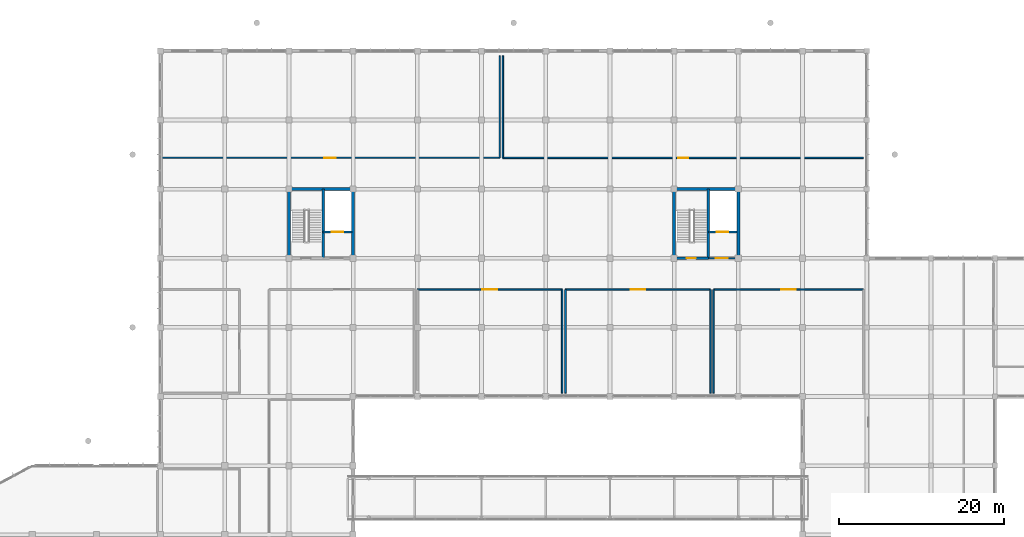
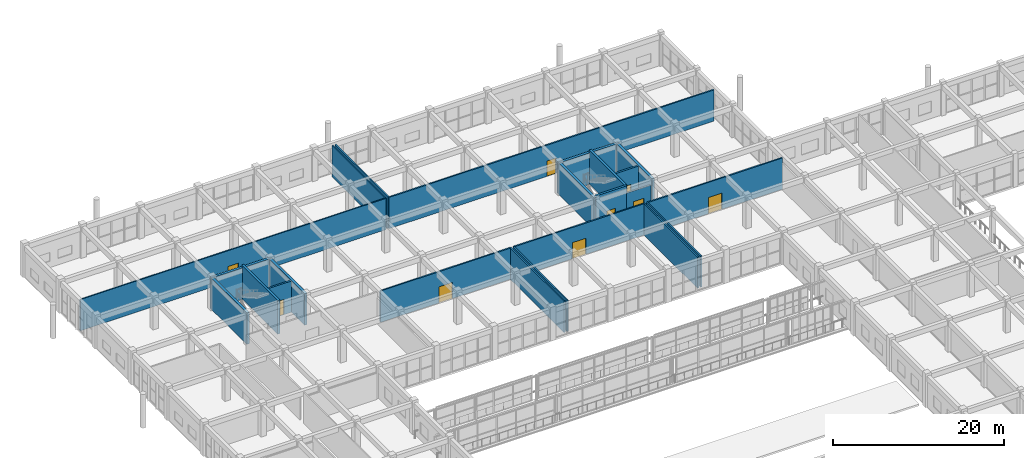
# One storey, part 155 of 167: 23 walls, 9 doors, 9 openings.
"""IFC4 building model written with IfcOpenShell, lengths in metres."""

from ifc_helpers import new_model, si_unit, direction, frame, frame_2d, origin, place, context, subcontext, project, spatial, rectangle, extrude, material, layer, layer_set, type_object, element, fill, save


model = new_model("IFC4")

# Units and contexts
model_context = context("Model", 3, precision=1e-05, world=origin(), true_north=direction((0.0, 1.0)))
body_context = subcontext(model_context, "Body", "Model", "MODEL_VIEW")
ifc_project = project(units=[si_unit("LENGTHUNIT", "METRE"), si_unit("AREAUNIT", "SQUARE_METRE"), si_unit("VOLUMEUNIT", "CUBIC_METRE"), si_unit("PLANEANGLEUNIT", "RADIAN"), si_unit("MASSUNIT", "GRAM", prefix="KILO")], contexts=[model_context])

# Site, building, storey
site_placement = place(None, origin())
site = spatial("IfcSite", under=ifc_project, at=site_placement, CompositionType="ELEMENT")
building_placement = place(site_placement, origin())
building = spatial("IfcBuilding", under=site, at=building_placement, Name="Zizhar Promenade General Hospital", CompositionType="ELEMENT")
storey_placement = place(building_placement, frame((0.0, 0.0, 9.60009765625)))
storey = spatial("IfcBuildingStorey", under=building, at=storey_placement, Name="L02", CompositionType="ELEMENT", Elevation=9.60009765625)

# Wall, opening, door
ifc_material_1 = material(Name="Concrete C35/45", Category="concrete")
ifc_layer_1 = layer(ifc_material_1, 0.215087890625)
ifc_layer_set_1 = layer_set([ifc_layer_1], Name="Concrete C35/45")
wall_type_1 = type_object("IfcWallType", Name="IW-LOBBY-215", PredefinedType="STANDARD", material=ifc_layer_set_1)
wall_1_placement = place(storey_placement, frame((113.35009765625, 109.199951171875, 0.0), z_axis=(0.0, 0.0, 1.0), x_axis=(1.0, 0.0, 0.0)))
wall_1 = element("IfcWall", 1, at=wall_1_placement, inside=storey, type_object=wall_type_1, Name="Core C7 Lift Lobby South Fire Wall (L02)", PredefinedType="STANDARD", context=body_context, shape_type="SweptSolid", body=[
    extrude(rectangle(XDim=3.289794921875, YDim=0.215087890625, at=frame_2d((1.64501953125, 0.0))), origin(), (0.0, 0.0, 1.0), 3.72998046875),
])
opening_1_placement = place(wall_1_placement, frame((0.925048828125, 0.0, 0.0)))
opening_1 = element("IfcOpeningElement", 2, at=opening_1_placement, cuts=wall_1, Name="Opening D-23", PredefinedType="OPENING", context=body_context, shape_type="SweptSolid", body=[
    extrude(rectangle(XDim=1.43994140625, YDim=2.199951171875, at=frame_2d((0.719970703125, 1.10009765625))), frame((0.0, 0.11767578125, 0.0), z_axis=(0.0, -1.0, 0.0), x_axis=(1.0, 0.0, 0.0)), (0.0, 0.0, 1.0), 0.235107421875),
])
ifc_material_2 = material(Name="Fire-rated timber lift lobby pair", Category="wood")
door_type_1 = type_object("IfcDoorType", Name="DR-LOBBY-PR-144x220", OperationType="DOUBLE_DOOR_SINGLE_SWING", PredefinedType="DOOR", material=ifc_material_2)
door_1_placement = place(opening_1_placement, origin())
door_1 = element("IfcDoor", 3, at=door_1_placement, inside=storey, type_object=door_type_1, Name="Core C7 Protected Lift Lobby Door (L02)", OperationType="DOUBLE_DOOR_SINGLE_SWING", OverallHeight=2.199951171875, OverallWidth=1.43994140625, PredefinedType="DOOR", context=body_context, shape_type="SweptSolid", body=[
    extrude(rectangle(XDim=1.43994140625, YDim=2.199951171875, at=frame_2d((0.719970703125, 1.10009765625))), frame((0.0, 0.02490234375, 0.0), z_axis=(0.0, -1.0, 0.0), x_axis=(1.0, 0.0, 0.0)), (0.0, 0.0, 1.0), 0.050048828125),
])
fill(opening_1, door_1)

ifc_material_3 = material(Name="Hygienic cleanroom aluminium-faced gypsum partition", Category="aluminium")
ifc_layer_2 = layer(ifc_material_3, 0.18994140625)
ifc_layer_set_2 = layer_set([ifc_layer_2], Name="Hygienic cleanroom aluminium-faced gypsum partition")
wall_type_2 = type_object("IfcWallType", Name="IW-OR-190", PredefinedType="PARTITIONING", material=ifc_layer_set_2)
wall_2_placement = place(storey_placement, frame((78.0, 105.39990234375, 0.0), z_axis=(0.0, 0.0, 1.0), x_axis=(1.0, 0.0, 0.0)))
wall_2 = element("IfcWall", 4, at=wall_2_placement, inside=storey, type_object=wall_type_2, Name="Operating Theatre 08 N Partition", PredefinedType="PARTITIONING", context=body_context, shape_type="SweptSolid", body=[
    extrude(rectangle(XDim=17.60009765625, YDim=0.18994140625, at=frame_2d((8.800048828125, 0.0))), origin(), (0.0, 0.0, 1.0), 4.4599609375),
])
opening_2_placement = place(wall_2_placement, frame((7.89990234375, 0.0, 0.0)))
opening_2 = element("IfcOpeningElement", 5, at=opening_2_placement, cuts=wall_2, Name="Opening D-03", PredefinedType="OPENING", context=body_context, shape_type="SweptSolid", body=[
    extrude(rectangle(XDim=1.800048828125, YDim=2.300048828125, at=frame_2d((0.89990234375, 1.14990234375))), frame((0.0, 0.10498046875, 0.0), z_axis=(0.0, -1.0, 0.0), x_axis=(1.0, 0.0, 0.0)), (0.0, 0.0, 1.0), 0.2099609375),
])
ifc_material_4 = material(Name="Anodised aluminium cleanroom hermetic leaf", Category="aluminium")
door_type_2 = type_object("IfcDoorType", Name="DR-OR-SLIDE-180x230", OperationType="SLIDING_TO_LEFT", PredefinedType="DOOR", material=ifc_material_4)
door_2_placement = place(opening_2_placement, origin())
door_2 = element("IfcDoor", 6, at=door_2_placement, inside=storey, type_object=door_type_2, Name="Operating Theatre 08 Door", OperationType="SLIDING_TO_LEFT", OverallHeight=2.300048828125, OverallWidth=1.800048828125, PredefinedType="DOOR", context=body_context, shape_type="SweptSolid", body=[
    extrude(rectangle(XDim=1.800048828125, YDim=2.300048828125, at=frame_2d((0.89990234375, 1.14990234375))), frame((0.0, 0.02490234375, 0.0), z_axis=(0.0, -1.0, 0.0), x_axis=(1.0, 0.0, 0.0)), (0.0, 0.0, 1.0), 0.050048828125),
])
fill(opening_2, door_2)

# Wall
wall_3_placement = place(storey_placement, frame((95.60009765625, 92.800048828125, 0.0), z_axis=(0.0, 0.0, 1.0), x_axis=(0.0, 1.0, 0.0)))
element("IfcWall", 7, at=wall_3_placement, inside=storey, type_object=wall_type_2, Name="Operating Theatre 08 E Partition", PredefinedType="PARTITIONING", context=body_context, shape_type="SweptSolid", body=[
    extrude(rectangle(XDim=12.599853515625, YDim=0.18994140625, at=frame_2d((6.2998046875, 0.0))), origin(), (0.0, 0.0, 1.0), 4.4599609375),
])

# Wall, opening, door
wall_4_placement = place(storey_placement, frame((96.0, 105.39990234375, 0.0), z_axis=(0.0, 0.0, 1.0), x_axis=(1.0, 0.0, 0.0)))
wall_4 = element("IfcWall", 8, at=wall_4_placement, inside=storey, type_object=wall_type_2, Name="Operating Theatre 09 N Partition", PredefinedType="PARTITIONING", context=body_context, shape_type="SweptSolid", body=[
    extrude(rectangle(XDim=17.60009765625, YDim=0.18994140625, at=frame_2d((8.800048828125, 0.0))), origin(), (0.0, 0.0, 1.0), 4.4599609375),
])
opening_3_placement = place(wall_4_placement, frame((7.89990234375, 0.0, 0.0)))
opening_3 = element("IfcOpeningElement", 9, at=opening_3_placement, cuts=wall_4, Name="Opening D-03", PredefinedType="OPENING", context=body_context, shape_type="SweptSolid", body=[
    extrude(rectangle(XDim=1.800048828125, YDim=2.300048828125, at=frame_2d((0.89990234375, 1.14990234375))), frame((0.0, 0.10498046875, 0.0), z_axis=(0.0, -1.0, 0.0), x_axis=(1.0, 0.0, 0.0)), (0.0, 0.0, 1.0), 0.2099609375),
])
door_3_placement = place(opening_3_placement, origin())
door_3 = element("IfcDoor", 10, at=door_3_placement, inside=storey, type_object=door_type_2, Name="Operating Theatre 09 Door", OperationType="SLIDING_TO_LEFT", OverallHeight=2.300048828125, OverallWidth=1.800048828125, PredefinedType="DOOR", context=body_context, shape_type="SweptSolid", body=[
    extrude(rectangle(XDim=1.800048828125, YDim=2.300048828125, at=frame_2d((0.89990234375, 1.14990234375))), frame((0.0, 0.02490234375, 0.0), z_axis=(0.0, -1.0, 0.0), x_axis=(1.0, 0.0, 0.0)), (0.0, 0.0, 1.0), 0.050048828125),
])
fill(opening_3, door_3)

# Walls
for number, where, z_axis, x_axis, name in (
    (11, (96.0, 92.800048828125, 0.0), (0.0, 0.0, 1.0), (0.0, 1.0, 0.0), "Operating Theatre 09 W Partition"),
    (12, (113.60009765625, 92.800048828125, 0.0), (0.0, 0.0, 1.0), (0.0, 1.0, 0.0), "Operating Theatre 09 E Partition"),
):
    element("IfcWall", number, at=place(storey_placement, frame(where, z_axis=z_axis, x_axis=x_axis)), inside=storey, type_object=wall_type_2, Name=name, PredefinedType="PARTITIONING", context=body_context, shape_type="SweptSolid", body=[
        extrude(rectangle(XDim=12.599853515625, YDim=0.18994140625, at=frame_2d((6.2998046875, 0.0))), origin(), (0.0, 0.0, 1.0), 4.4599609375),
    ])

# Wall, opening, door
wall_5_placement = place(storey_placement, frame((114.0, 105.39990234375, 0.0), z_axis=(0.0, 0.0, 1.0), x_axis=(1.0, 0.0, 0.0)))
wall_5 = element("IfcWall", 13, at=wall_5_placement, inside=storey, type_object=wall_type_2, Name="Operating Theatre 10 N Partition", PredefinedType="PARTITIONING", context=body_context, shape_type="SweptSolid", body=[
    extrude(rectangle(XDim=18.199951171875, YDim=0.18994140625, at=frame_2d((9.10009765625, 0.0))), origin(), (0.0, 0.0, 1.0), 4.4599609375),
])
opening_4_placement = place(wall_5_placement, frame((8.199951171875, 0.0, 0.0)))
opening_4 = element("IfcOpeningElement", 14, at=opening_4_placement, cuts=wall_5, Name="Opening D-03", PredefinedType="OPENING", context=body_context, shape_type="SweptSolid", body=[
    extrude(rectangle(XDim=1.800048828125, YDim=2.300048828125, at=frame_2d((0.89990234375, 1.14990234375))), frame((0.0, 0.10498046875, 0.0), z_axis=(0.0, -1.0, 0.0), x_axis=(1.0, 0.0, 0.0)), (0.0, 0.0, 1.0), 0.2099609375),
])
door_4_placement = place(opening_4_placement, origin())
door_4 = element("IfcDoor", 15, at=door_4_placement, inside=storey, type_object=door_type_2, Name="Operating Theatre 10 Door", OperationType="SLIDING_TO_LEFT", OverallHeight=2.300048828125, OverallWidth=1.800048828125, PredefinedType="DOOR", context=body_context, shape_type="SweptSolid", body=[
    extrude(rectangle(XDim=1.800048828125, YDim=2.300048828125, at=frame_2d((0.89990234375, 1.14990234375))), frame((0.0, 0.02490234375, 0.0), z_axis=(0.0, -1.0, 0.0), x_axis=(1.0, 0.0, 0.0)), (0.0, 0.0, 1.0), 0.050048828125),
])
fill(opening_4, door_4)

# Wall
wall_6_placement = place(storey_placement, frame((114.0, 92.800048828125, 0.0), z_axis=(0.0, 0.0, 1.0), x_axis=(0.0, 1.0, 0.0)))
element("IfcWall", 16, at=wall_6_placement, inside=storey, type_object=wall_type_2, Name="Operating Theatre 10 W Partition", PredefinedType="PARTITIONING", context=body_context, shape_type="SweptSolid", body=[
    extrude(rectangle(XDim=12.599853515625, YDim=0.18994140625, at=frame_2d((6.2998046875, 0.0))), origin(), (0.0, 0.0, 1.0), 4.4599609375),
])

# Wall, opening, door
wall_7_placement = place(storey_placement, frame((88.39990234375, 121.39990234375, 0.0), z_axis=(0.0, 0.0, 1.0), x_axis=(1.0, 0.0, 0.0)))
wall_7 = element("IfcWall", 17, at=wall_7_placement, inside=storey, type_object=wall_type_2, Name="Surgical Scrub, Anaesthesia Prep and Clean Core L02 S Partition", PredefinedType="PARTITIONING", context=body_context, shape_type="SweptSolid", body=[
    extrude(rectangle(XDim=43.800048828125, YDim=0.18994140625, at=frame_2d((21.89990234375, 0.0))), origin(), (0.0, 0.0, 1.0), 4.4599609375),
])
opening_5_placement = place(wall_7_placement, frame((21.300048828125, 0.0, 0.0)))
opening_5 = element("IfcOpeningElement", 18, at=opening_5_placement, cuts=wall_7, Name="Opening D-04", PredefinedType="OPENING", context=body_context, shape_type="SweptSolid", body=[
    extrude(rectangle(XDim=1.199951171875, YDim=2.199951171875, at=frame_2d((0.60009765625, 1.10009765625))), frame((0.0, 0.10498046875, 0.0), z_axis=(0.0, -1.0, 0.0), x_axis=(1.0, 0.0, 0.0)), (0.0, 0.0, 1.0), 0.2099609375),
])
ifc_material_5 = material(Name="Anodised aluminium cleanroom leaf", Category="aluminium")
door_type_3 = type_object("IfcDoorType", Name="DR-OR-SCRUB-120x220", OperationType="SINGLE_SWING_LEFT", PredefinedType="DOOR", material=ifc_material_5)
door_5_placement = place(opening_5_placement, origin())
door_5 = element("IfcDoor", 19, at=door_5_placement, inside=storey, type_object=door_type_3, Name="Surgical Scrub, Anaesthesia Prep and Clean Core L02 Door", OperationType="SINGLE_SWING_LEFT", OverallHeight=2.199951171875, OverallWidth=1.199951171875, PredefinedType="DOOR", context=body_context, shape_type="SweptSolid", body=[
    extrude(rectangle(XDim=1.199951171875, YDim=2.199951171875, at=frame_2d((0.60009765625, 1.10009765625))), frame((0.0, 0.02490234375, 0.0), z_axis=(0.0, -1.0, 0.0), x_axis=(1.0, 0.0, 0.0)), (0.0, 0.0, 1.0), 0.050048828125),
])
fill(opening_5, door_5)

# Wall
wall_8_placement = place(storey_placement, frame((88.39990234375, 121.39990234375, 0.0), z_axis=(0.0, 0.0, 1.0), x_axis=(0.0, 1.0, 0.0)))
element("IfcWall", 20, at=wall_8_placement, inside=storey, type_object=wall_type_2, Name="Surgical Scrub, Anaesthesia Prep and Clean Core L02 W Partition", PredefinedType="PARTITIONING", context=body_context, shape_type="SweptSolid", body=[
    extrude(rectangle(XDim=12.400146484375, YDim=0.18994140625, at=frame_2d((6.2001953125, 0.0))), origin(), (0.0, 0.0, 1.0), 4.4599609375),
])

# Wall, opening, door
ifc_material_6 = material(Name="Concrete C35/45", Category="concrete")
ifc_layer_3 = layer(ifc_material_6, 0.25)
ifc_layer_set_3 = layer_set([ifc_layer_3], Name="Concrete C35/45")
wall_type_3 = type_object("IfcWallType", Name="IW-SHAFT-250", PredefinedType="STANDARD", material=ifc_layer_set_3)
wall_9_placement = place(storey_placement, frame((66.550048828125, 112.39990234375, 0.0), z_axis=(0.0, 0.0, 1.0), x_axis=(1.0, 0.0, 0.0)))
wall_9 = element("IfcWall", 21, at=wall_9_placement, inside=storey, type_object=wall_type_3, Name="Core C6 Lift Shaft Landing Wall (L02)", PredefinedType="STANDARD", context=body_context, shape_type="SweptSolid", body=[
    extrude(rectangle(XDim=3.5, YDim=0.25, at=frame_2d((1.75, 0.0))), origin(), (0.0, 0.0, 1.0), 4.4599609375),
])
opening_6_placement = place(wall_9_placement, frame((1.050048828125, 0.0, 0.0)))
opening_6 = element("IfcOpeningElement", 22, at=opening_6_placement, cuts=wall_9, Name="Opening LD-14", PredefinedType="OPENING", context=body_context, shape_type="SweptSolid", body=[
    extrude(rectangle(XDim=1.39990234375, YDim=2.199951171875, at=frame_2d((0.699951171875, 1.10009765625))), frame((0.0, 0.135009765625, 0.0), z_axis=(0.0, -1.0, 0.0), x_axis=(1.0, 0.0, 0.0)), (0.0, 0.0, 1.0), 0.27001953125),
])
ifc_material_7 = material(Name="Stainless Steel S355 hospital lift landing door", Category="steel")
door_type_4 = type_object("IfcDoorType", Name="DR-LIFT-LD14", OperationType="SLIDING_TO_LEFT", PredefinedType="DOOR", material=ifc_material_7)
door_6_placement = place(opening_6_placement, origin())
door_6 = element("IfcDoor", 23, at=door_6_placement, inside=storey, type_object=door_type_4, Name="Lift LG-01 Sliding Landing Door (L02)", OperationType="SLIDING_TO_LEFT", OverallHeight=2.199951171875, OverallWidth=1.39990234375, PredefinedType="DOOR", context=body_context, shape_type="SweptSolid", body=[
    extrude(rectangle(XDim=1.39990234375, YDim=2.199951171875, at=frame_2d((0.699951171875, 1.10009765625))), frame((0.0, 0.02490234375, 0.0), z_axis=(0.0, -1.0, 0.0), x_axis=(1.0, 0.0, 0.0)), (0.0, 0.0, 1.0), 0.050048828125),
])
fill(opening_6, door_6)

wall_10_placement = place(storey_placement, frame((113.35009765625, 112.39990234375, 0.0), z_axis=(0.0, 0.0, 1.0), x_axis=(1.0, 0.0, 0.0)))
wall_10 = element("IfcWall", 24, at=wall_10_placement, inside=storey, type_object=wall_type_3, Name="Core C7 Lift Shaft Landing Wall (L02)", PredefinedType="STANDARD", context=body_context, shape_type="SweptSolid", body=[
    extrude(rectangle(XDim=3.5, YDim=0.25, at=frame_2d((1.75, 0.0))), origin(), (0.0, 0.0, 1.0), 4.4599609375),
])
opening_7_placement = place(wall_10_placement, frame((1.050048828125, 0.0, 0.0)))
opening_7 = element("IfcOpeningElement", 25, at=opening_7_placement, cuts=wall_10, Name="Opening LD-14", PredefinedType="OPENING", context=body_context, shape_type="SweptSolid", body=[
    extrude(rectangle(XDim=1.39990234375, YDim=2.199951171875, at=frame_2d((0.699951171875, 1.10009765625))), frame((0.0, 0.135009765625, 0.0), z_axis=(0.0, -1.0, 0.0), x_axis=(1.0, 0.0, 0.0)), (0.0, 0.0, 1.0), 0.27001953125),
])
door_7_placement = place(opening_7_placement, origin())
door_7 = element("IfcDoor", 26, at=door_7_placement, inside=storey, type_object=door_type_4, Name="Lift LG-02 Sliding Landing Door (L02)", OperationType="SLIDING_TO_LEFT", OverallHeight=2.199951171875, OverallWidth=1.39990234375, PredefinedType="DOOR", context=body_context, shape_type="SweptSolid", body=[
    extrude(rectangle(XDim=1.39990234375, YDim=2.199951171875, at=frame_2d((0.699951171875, 1.10009765625))), frame((0.0, 0.02490234375, 0.0), z_axis=(0.0, -1.0, 0.0), x_axis=(1.0, 0.0, 0.0)), (0.0, 0.0, 1.0), 0.050048828125),
])
fill(opening_7, door_7)

ifc_material_8 = material(Name="Acoustic patient bedroom partition")
ifc_layer_4 = layer(ifc_material_8, 0.155029296875)
ifc_layer_set_4 = layer_set([ifc_layer_4], Name="Acoustic patient bedroom partition")
wall_type_4 = type_object("IfcWallType", Name="IW-WARD-155", PredefinedType="PARTITIONING", material=ifc_layer_set_4)
wall_11_placement = place(storey_placement, frame((46.800048828125, 121.39990234375, 0.0), z_axis=(0.0, 0.0, 1.0), x_axis=(1.0, 0.0, 0.0)))
wall_11 = element("IfcWall", 27, at=wall_11_placement, inside=storey, type_object=wall_type_4, Name="Post-Anaesthesia Surgical Recovery Ward L02 S Partition", PredefinedType="PARTITIONING", context=body_context, shape_type="SweptSolid", body=[
    extrude(rectangle(XDim=41.199951171875, YDim=0.155029296875, at=frame_2d((20.60009765625, 0.0))), origin(), (0.0, 0.0, 1.0), 4.4599609375),
])
opening_8_placement = place(wall_11_placement, frame((19.89990234375, 0.0, 0.0)))
opening_8 = element("IfcOpeningElement", 28, at=opening_8_placement, cuts=wall_11, Name="Opening D-06", PredefinedType="OPENING", context=body_context, shape_type="SweptSolid", body=[
    extrude(rectangle(XDim=1.39990234375, YDim=2.199951171875, at=frame_2d((0.699951171875, 1.10009765625))), frame((0.0, 0.08740234375, 0.0), z_axis=(0.0, -1.0, 0.0), x_axis=(1.0, 0.0, 0.0)), (0.0, 0.0, 1.0), 0.175048828125),
])
ifc_material_9 = material(Name="Fire-rated timber hospital bed leaf", Category="wood")
door_type_5 = type_object("IfcDoorType", Name="DR-BED-WARD-140x220", OperationType="NOTDEFINED", PredefinedType="DOOR", material=ifc_material_9)
door_8_placement = place(opening_8_placement, origin())
door_8 = element("IfcDoor", 29, at=door_8_placement, inside=storey, type_object=door_type_5, Name="Post-Anaesthesia Surgical Recovery Ward L02 Door", OperationType="SINGLE_SWING_RIGHT", OverallHeight=2.199951171875, OverallWidth=1.39990234375, PredefinedType="DOOR", context=body_context, shape_type="SweptSolid", body=[
    extrude(rectangle(XDim=1.39990234375, YDim=2.199951171875, at=frame_2d((0.699951171875, 1.10009765625))), frame((0.0, 0.02490234375, 0.0), z_axis=(0.0, -1.0, 0.0), x_axis=(1.0, 0.0, 0.0)), (0.0, 0.0, 1.0), 0.050048828125),
])
fill(opening_8, door_8)

# Walls
wall_12_placement = place(storey_placement, frame((88.0, 121.39990234375, 0.0), z_axis=(0.0, 0.0, 1.0), x_axis=(0.0, 1.0, 0.0)))
element("IfcWall", 30, at=wall_12_placement, inside=storey, type_object=wall_type_4, Name="Post-Anaesthesia Surgical Recovery Ward L02 E Partition", PredefinedType="PARTITIONING", context=body_context, shape_type="SweptSolid", body=[
    extrude(rectangle(XDim=12.400146484375, YDim=0.155029296875, at=frame_2d((6.2001953125, 0.0))), origin(), (0.0, 0.0, 1.0), 4.4599609375),
])
ifc_material_10 = material(Name="Concrete C40/50", Category="concrete")
ifc_layer_5 = layer(ifc_material_10, 0.300048828125)
ifc_layer_set_5 = layer_set([ifc_layer_5], Name="Concrete C40/50")
wall_type_5 = type_object("IfcWallType", Name="WL-CORE-300", PredefinedType="SHEAR", material=ifc_layer_set_5)
wall_13_placement = place(storey_placement, frame((66.550048828125, 109.199951171875, 0.0), z_axis=(0.0, 0.0, 1.0), x_axis=(0.0, 1.0, 0.0)))
element("IfcWall", 31, at=wall_13_placement, inside=storey, type_object=wall_type_5, Name="Core C6 Stair-Shaft Separation Wall (L02)", PredefinedType="SHEAR", context=body_context, shape_type="SweptSolid", body=[
    extrude(rectangle(XDim=8.400146484375, YDim=0.300048828125, at=frame_2d((4.2001953125, 0.0))), origin(), (0.0, 0.0, 1.0), 4.7998046875),
])

# Wall, opening, door
wall_14_placement = place(storey_placement, frame((109.199951171875, 109.199951171875, 0.0), z_axis=(0.0, 0.0, 1.0), x_axis=(1.0, 0.0, 0.0)))
wall_14 = element("IfcWall", 32, at=wall_14_placement, inside=storey, type_object=wall_type_5, Name="Core C7 Stair South Fire Wall (L02)", PredefinedType="SHEAR", context=body_context, shape_type="SweptSolid", body=[
    extrude(rectangle(XDim=4.150146484375, YDim=0.300048828125, at=frame_2d((2.0751953125, 0.0))), origin(), (0.0, 0.0, 1.0), 4.7998046875),
])
opening_9_placement = place(wall_14_placement, frame((1.514892578125, 0.0, 0.0)))
opening_9 = element("IfcOpeningElement", 33, at=opening_9_placement, cuts=wall_14, Name="Opening D-21", PredefinedType="OPENING", context=body_context, shape_type="SweptSolid", body=[
    extrude(rectangle(XDim=1.1201171875, YDim=2.14990234375, at=frame_2d((0.56005859375, 1.074951171875))), frame((0.0, 0.16015625, 0.0), z_axis=(0.0, -1.0, 0.0), x_axis=(1.0, 0.0, 0.0)), (0.0, 0.0, 1.0), 0.320068359375),
])
ifc_material_11 = material(Name="Steel S355 protected stair door", Category="steel")
door_type_6 = type_object("IfcDoorType", Name="DR-STAIR-112x215", OperationType="NOTDEFINED", PredefinedType="DOOR", material=ifc_material_11)
door_9_placement = place(opening_9_placement, origin())
door_9 = element("IfcDoor", 34, at=door_9_placement, inside=storey, type_object=door_type_6, Name="Exit Stair ST-07 Door (L02)", OperationType="SINGLE_SWING_RIGHT", OverallHeight=2.14990234375, OverallWidth=1.1201171875, PredefinedType="DOOR", context=body_context, shape_type="SweptSolid", body=[
    extrude(rectangle(XDim=1.1201171875, YDim=2.14990234375, at=frame_2d((0.56005859375, 1.074951171875))), frame((0.0, 0.02490234375, 0.0), z_axis=(0.0, -1.0, 0.0), x_axis=(1.0, 0.0, 0.0)), (0.0, 0.0, 1.0), 0.050048828125),
])
fill(opening_9, door_9)

# Walls
wall_15_placement = place(storey_placement, frame((113.35009765625, 109.199951171875, 0.0), z_axis=(0.0, 0.0, 1.0), x_axis=(0.0, 1.0, 0.0)))
element("IfcWall", 35, at=wall_15_placement, inside=storey, type_object=wall_type_5, Name="Core C7 Stair-Shaft Separation Wall (L02)", PredefinedType="SHEAR", context=body_context, shape_type="SweptSolid", body=[
    extrude(rectangle(XDim=8.400146484375, YDim=0.300048828125, at=frame_2d((4.2001953125, 0.0))), origin(), (0.0, 0.0, 1.0), 4.7998046875),
])
ifc_material_12 = material(Name="Concrete C40/50", Category="concrete")
ifc_layer_6 = layer(ifc_material_12, 0.35009765625)
ifc_layer_set_6 = layer_set([ifc_layer_6], Name="Concrete C40/50")
wall_type_6 = type_object("IfcWallType", Name="WL-CORE-350", PredefinedType="SHEAR", material=ifc_layer_set_6)
wall_16_placement = place(storey_placement, frame((62.22509765625, 117.60009765625, 0.0), z_axis=(0.0, 0.0, 1.0), x_axis=(1.0, 0.0, 0.0)))
element("IfcWall", 36, at=wall_16_placement, inside=storey, type_object=wall_type_6, Name="Core C6 North Shear Wall L02", PredefinedType="SHEAR", context=body_context, shape_type="SweptSolid", body=[
    extrude(rectangle(XDim=8.14990234375, YDim=0.35009765625, at=frame_2d((4.074951171875, 0.0))), origin(), (0.0, 0.0, 1.0), 4.47998046875),
])
for number, where, z_axis, x_axis, name in (
    (37, (62.39990234375, 109.199951171875, 0.0), (0.0, 0.0, 1.0), (0.0, 1.0, 0.0), "Core C6 West Shear Wall L02"),
    (38, (70.199951171875, 109.199951171875, 0.0), (0.0, 0.0, 1.0), (0.0, 1.0, 0.0), "Core C6 East Shear Wall L02"),
):
    element("IfcWall", number, at=place(storey_placement, frame(where, z_axis=z_axis, x_axis=x_axis)), inside=storey, type_object=wall_type_6, Name=name, PredefinedType="SHEAR", context=body_context, shape_type="SweptSolid", body=[
        extrude(rectangle(XDim=8.400146484375, YDim=0.35009765625, at=frame_2d((4.2001953125, 0.0))), origin(), (0.0, 0.0, 1.0), 4.47998046875),
    ])
wall_17_placement = place(storey_placement, frame((109.02490234375, 117.60009765625, 0.0), z_axis=(0.0, 0.0, 1.0), x_axis=(1.0, 0.0, 0.0)))
element("IfcWall", 39, at=wall_17_placement, inside=storey, type_object=wall_type_6, Name="Core C7 North Shear Wall L02", PredefinedType="SHEAR", context=body_context, shape_type="SweptSolid", body=[
    extrude(rectangle(XDim=8.150146484375, YDim=0.35009765625, at=frame_2d((4.0751953125, 0.0))), origin(), (0.0, 0.0, 1.0), 4.47998046875),
])
for number, where, z_axis, x_axis, name in (
    (40, (109.199951171875, 109.199951171875, 0.0), (0.0, 0.0, 1.0), (0.0, 1.0, 0.0), "Core C7 West Shear Wall L02"),
    (41, (117.0, 109.199951171875, 0.0), (0.0, 0.0, 1.0), (0.0, 1.0, 0.0), "Core C7 East Shear Wall L02"),
):
    element("IfcWall", number, at=place(storey_placement, frame(where, z_axis=z_axis, x_axis=x_axis)), inside=storey, type_object=wall_type_6, Name=name, PredefinedType="SHEAR", context=body_context, shape_type="SweptSolid", body=[
        extrude(rectangle(XDim=8.400146484375, YDim=0.35009765625, at=frame_2d((4.2001953125, 0.0))), origin(), (0.0, 0.0, 1.0), 4.47998046875),
    ])

save(model, "model.ifc")
